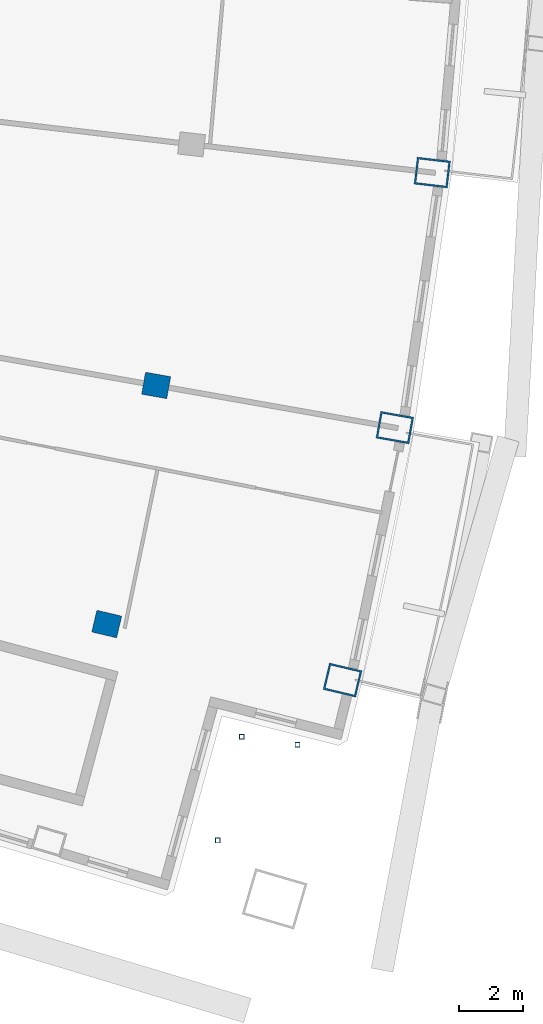
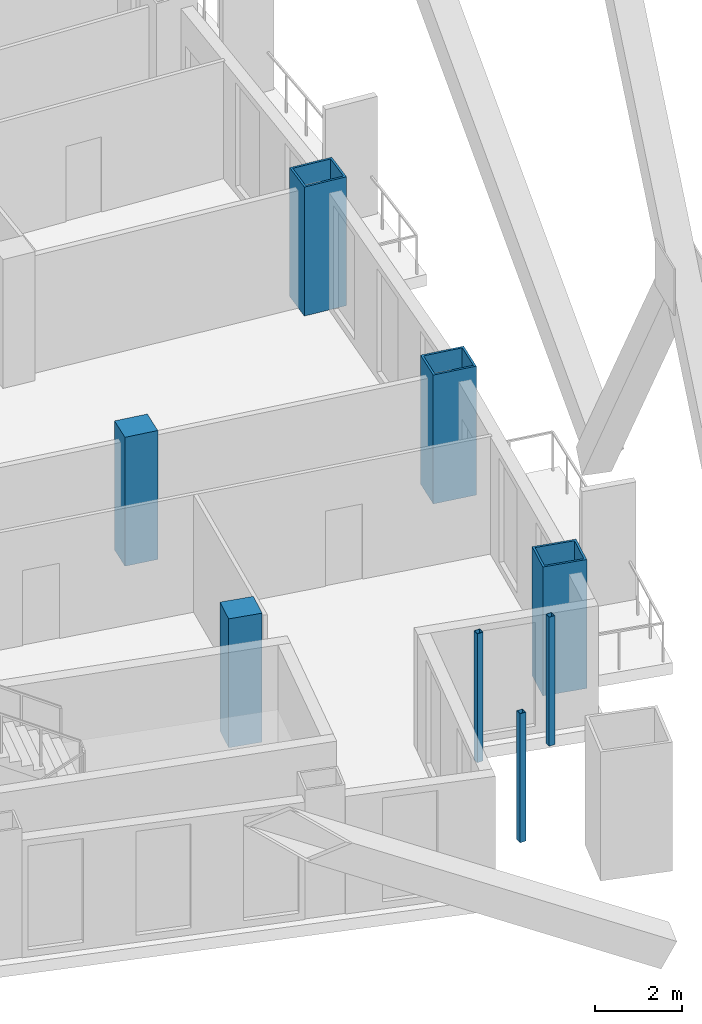
# One storey, part 3 of 20: 8 columns.
"""IFC4 building model written with IfcOpenShell, lengths in metres."""

from ifc_helpers import new_model, si_unit, direction, frame, origin, origin_2d, place, context, subcontext, project, spatial, rectangle, hollow_rectangle, extrude, material, material_profile, profile_set, type_object, element, save


model = new_model("IFC4")

# Units and contexts
model_context = context("Model", 3, precision=1e-05, world=origin(), true_north=direction((0.0, 1.0)))
body_context = subcontext(model_context, "Body", "Model", "MODEL_VIEW")
ifc_project = project(units=[si_unit("LENGTHUNIT", "METRE"), si_unit("AREAUNIT", "SQUARE_METRE"), si_unit("VOLUMEUNIT", "CUBIC_METRE"), si_unit("PLANEANGLEUNIT", "RADIAN"), si_unit("MASSUNIT", "GRAM", prefix="KILO")], contexts=[model_context])

# Site, building, storey
site_placement = place(None, origin())
site = spatial("IfcSite", under=ifc_project, at=site_placement, CompositionType="ELEMENT")
building_placement = place(site_placement, origin())
building = spatial("IfcBuilding", under=site, at=building_placement, Name="Alderwake Tower", CompositionType="ELEMENT")
storey_placement = place(building_placement, frame((0.0, 0.0, 189.199951171875)))
storey = spatial("IfcBuildingStorey", under=building, at=storey_placement, Name="L46", CompositionType="ELEMENT", Elevation=189.199951171875)

# Columns
ifc_material_1 = material(Name="Concrete C70/85", Category="concrete")
ifc_material_profile_1 = material_profile(ifc_material_1, rectangle(XDim=0.699951171875, YDim=0.800048828125, at=origin_2d()), Name="RC 800X700")
ifc_profile_set_1 = profile_set([ifc_material_profile_1], Name="Concrete C70/85")
column_type_1 = type_object("IfcColumnType", Name="Interior column Z4", PredefinedType="COLUMN", material=ifc_profile_set_1)
for number, where, z_axis, x_axis, name in (
    (1, (47.449951171875, 30.7099609375, 0.0), (0.0, 0.0, 1.0), (0.231221547198, 0.972901123502, 0.0), "Column R03-C4"),
    (2, (48.999267578125, 38.19189453125, 0.0), (0.0, 0.0, 1.0), (0.174108800747, 0.984726421654, 0.0), "Column R04-C4"),
):
    element("IfcColumn", number, at=place(storey_placement, frame(where, z_axis=z_axis, x_axis=x_axis)), inside=storey, type_object=column_type_1, Name=name, PredefinedType="COLUMN", context=body_context, shape_type="SweptSolid", body=[
        extrude(rectangle(XDim=0.699951171875, YDim=0.800048828125, at=origin_2d()), origin(), (0.0, 0.0, 1.0), 3.60009765625),
    ])
ifc_material_2 = material(Name="Steel ASTM A500 Grade C", Category="steel")
ifc_material_profile_2 = material_profile(ifc_material_2, hollow_rectangle(XDim=0.15234375, YDim=0.15234375, WallThickness=0.0087890625, at=origin_2d()), Name="HSS6X6X3/8")
ifc_profile_set_2 = profile_set([ifc_material_profile_2], Name="Steel ASTM A500 Grade C")
column_type_2 = type_object("IfcColumnType", Name="Light post HSS6X6X3/8", PredefinedType="COLUMN", material=ifc_profile_set_2)
for number, where, z_axis, x_axis, name in (
    (3, (53.4326171875, 26.925537109375, 0.0), (0.0, 0.0, 1.0), (1.0, 0.0, 0.0), "Terrace post FS1"),
    (4, (50.9326171875, 23.925537109375, 0.0), (0.0, 0.0, 1.0), (1.0, 0.0, 0.0), "Terrace post FS2"),
    (5, (51.6826171875, 27.175537109375, 0.0), (0.0, 0.0, 1.0), (1.0, 0.0, 0.0), "Terrace post FS3"),
):
    element("IfcColumn", number, at=place(storey_placement, frame(where, z_axis=z_axis, x_axis=x_axis)), inside=storey, type_object=column_type_2, Name=name, PredefinedType="COLUMN", context=body_context, shape_type="SweptSolid", body=[
        extrude(hollow_rectangle(XDim=0.15234375, YDim=0.15234375, WallThickness=0.0087890625, at=origin_2d()), origin(), (0.0, 0.0, 1.0), 3.60009765625),
    ])
ifc_material_3 = material(Name="Steel ASTM A572 Grade 50 concrete filled C70/85", Category="concrete")
ifc_material_profile_3 = material_profile(ifc_material_3, hollow_rectangle(XDim=0.85009765625, YDim=1.050048828125, WallThickness=0.054931640625, at=origin_2d()), Name="BOX 1050X850X55")
ifc_profile_set_3 = profile_set([ifc_material_profile_3], Name="Steel ASTM A572 Grade 50 concrete filled C70/85")
column_type_3 = type_object("IfcColumnType", Name="Perimeter column Z4", PredefinedType="COLUMN", material=ifc_profile_set_3)
for number, where, z_axis, x_axis, name in (
    (6, (54.843994140625, 28.95263671875, 0.0), (0.0, 0.0, 1.0), (0.231221547198, 0.972901123502, 0.0), "Column R03-C5"),
    (7, (56.483154296875, 36.86865234375, 0.0), (0.0, 0.0, 1.0), (0.174108800747, 0.984726421654, 0.0), "Column R04-C5"),
    (8, (57.65771484375, 44.86669921875, 0.0), (0.0, 0.0, 1.0), (0.116402054316, 0.993202175668, 0.0), "Column R05-C5"),
):
    element("IfcColumn", number, at=place(storey_placement, frame(where, z_axis=z_axis, x_axis=x_axis)), inside=storey, type_object=column_type_3, Name=name, PredefinedType="COLUMN", context=body_context, shape_type="SweptSolid", body=[
        extrude(hollow_rectangle(XDim=0.85009765625, YDim=1.050048828125, WallThickness=0.054931640625, at=origin_2d()), origin(), (0.0, 0.0, 1.0), 3.60009765625),
    ])

save(model, "model.ifc")
